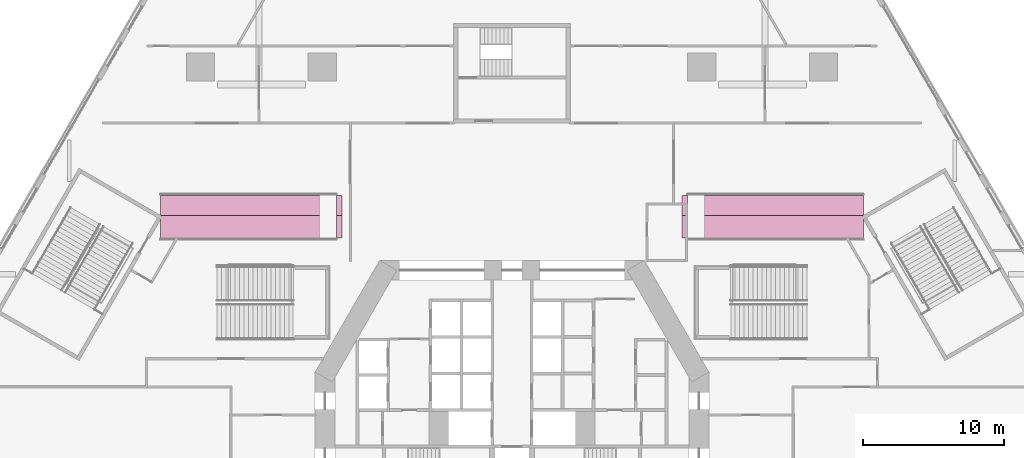
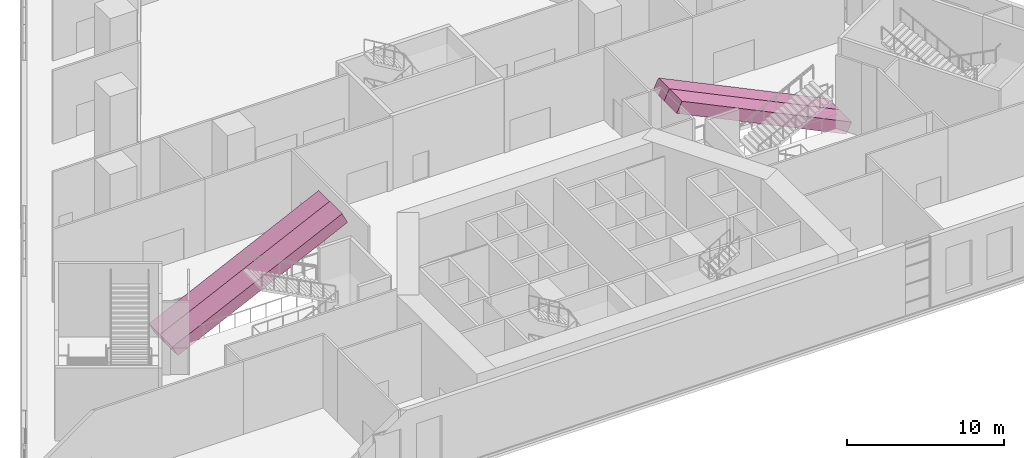
# One storey, part 27 of 27: 4 transport elements.
"""IFC4 building model written with IfcOpenShell, lengths in metres."""

import ifcopenshell
import ifcopenshell.guid

model = None  # the IFC model being written
_history = None  # IfcOwnerHistory: only IFC2X3 demands one
_inside = {}  # id of a spatial element -> (the spatial element, [elements in it])
_under = {}  # id of a project, library or spatial element -> (it, [spatial elements below it])
_declared = {}  # id of a project -> (the project, [libraries it declares])
_typed = {}  # id of a type object -> (the type object, [elements of that type])
_made_of = {}  # id of a material, layer set ... -> (it, [elements and type objects made of it])


def new_model(schema):
    """Start an empty IFC model of exactly this schema.

    Asked for "IFC4X3", IfcOpenShell would pick the latest addendum, in which some entities
    have other attributes; the version numbers below select the first issue.
    IFC2X3 requires an IfcOwnerHistory on every rooted entity: one is made here for all.
    """
    global model, _history
    if schema == "IFC4X3":
        model = ifcopenshell.file(schema_version=(4, 3, 0, 0))
    else:
        model = ifcopenshell.file(schema=schema)
    _inside.clear()
    _under.clear()
    _declared.clear()
    _typed.clear()
    _made_of.clear()
    _history = None
    if model.schema == "IFC2X3":
        org = make("IfcOrganization", Name="unknown")
        user = make(
            "IfcPersonAndOrganization",
            ThePerson=make("IfcPerson", FamilyName="unknown"),
            TheOrganization=org,
        )
        app = make(
            "IfcApplication",
            ApplicationDeveloper=org,
            Version="unknown",
            ApplicationFullName="unknown",
            ApplicationIdentifier="unknown",
        )
        _history = make(
            "IfcOwnerHistory",
            OwningUser=user,
            OwningApplication=app,
            ChangeAction="ADDED",
            CreationDate=0,
        )
    return model


def make(cls, **values):
    """One entity of the class cls with the attributes given. An attribute that is None is left unset."""
    return model.create_entity(
        cls, **{name: value for name, value in values.items() if value is not None}
    )


def rooted(cls, **values):
    """An entity with a GlobalId (a new one), such as an element, a storey or a relation."""
    return make(cls, GlobalId=ifcopenshell.guid.new(), OwnerHistory=_history, **values)


def si_unit(unit_type, name, prefix=None):
    """IfcSIUnit, for example si_unit("LENGTHUNIT", "METRE", prefix="MILLI")."""
    return make("IfcSIUnit", UnitType=unit_type, Prefix=prefix, Name=name)


def assignment(units):
    """IfcUnitAssignment: the units of a project."""
    return None if units is None else make("IfcUnitAssignment", Units=units)


def point(xyz):
    """IfcCartesianPoint."""
    return None if xyz is None else make("IfcCartesianPoint", Coordinates=xyz)


def direction(xyz):
    """IfcDirection."""
    return None if xyz is None else make("IfcDirection", DirectionRatios=xyz)


def frame(location, z_axis=None, x_axis=None):
    """IfcAxis2Placement3D, a coordinate frame: its origin and axes. An axis left out is left unset."""
    return make(
        "IfcAxis2Placement3D",
        Location=point(location),
        Axis=direction(z_axis),
        RefDirection=direction(x_axis),
    )


def origin():
    """The frame at (0, 0, 0) with its axes left unset."""
    return frame((0.0, 0.0, 0.0))


def place(relative_to, where):
    """IfcLocalPlacement: puts the frame where relative to a parent placement (None: the world)."""
    return make(
        "IfcLocalPlacement", PlacementRelTo=relative_to, RelativePlacement=where
    )


def context(
    kind, dimensions, precision=None, world=None, true_north=None, identifier=None
):
    """IfcGeometricRepresentationContext, for example the 3D "Model" context."""
    return make(
        "IfcGeometricRepresentationContext",
        ContextIdentifier=identifier,
        ContextType=kind,
        CoordinateSpaceDimension=dimensions,
        Precision=precision,
        WorldCoordinateSystem=world,
        TrueNorth=true_north,
    )


def subcontext(parent, identifier, kind, view, scale=None):
    """IfcGeometricRepresentationSubContext, for example "Body" below "Model"."""
    return make(
        "IfcGeometricRepresentationSubContext",
        ContextIdentifier=identifier,
        ContextType=kind,
        ParentContext=parent,
        TargetScale=scale,
        TargetView=view,
    )


def project(units=None, contexts=None):
    """IfcProject with its units and contexts."""
    return rooted(
        "IfcProject",
        Name="project",
        RepresentationContexts=contexts,
        UnitsInContext=assignment(units),
    )


def spatial(cls, under=None, at=None, **own):
    """A site, building, storey or space (cls), placed at a placement, below another one or the project."""
    s = rooted(cls, ObjectPlacement=at, **own)
    if under is not None:
        _under.setdefault(under.id(), (under, []))[1].append(s)
    return s


def polyline(points):
    """IfcPolyline through the points."""
    return make("IfcPolyline", Points=[point(p) for p in points])


def outline(outer, holes=None, kind="AREA"):
    """IfcArbitraryClosedProfileDef: a profile drawn as a closed curve; with holes, ...WithVoids."""
    if holes is None:
        return make("IfcArbitraryClosedProfileDef", ProfileType=kind, OuterCurve=outer)
    return make(
        "IfcArbitraryProfileDefWithVoids",
        ProfileType=kind,
        OuterCurve=outer,
        InnerCurves=holes,
    )


def extrude(swept, where, along, depth):
    """IfcExtrudedAreaSolid: the profile swept, set in the frame where, extruded along a direction by depth."""
    return make(
        "IfcExtrudedAreaSolid",
        SweptArea=swept,
        Position=where,
        ExtrudedDirection=direction(along),
        Depth=depth,
    )


def shape(context_of_items, identifier, shape_type, items):
    """IfcShapeRepresentation: the items that make up one representation, for example the "Body"."""
    return make(
        "IfcShapeRepresentation",
        ContextOfItems=context_of_items,
        RepresentationIdentifier=identifier,
        RepresentationType=shape_type,
        Items=items,
    )


def material(Name=None, Category=None):
    """IfcMaterial."""
    return make("IfcMaterial", Name=Name, Category=Category)


def made_of(thing, what):
    """Note that an element or type object is made of a material, layer set ...; save() writes the relation."""
    if what is not None:
        _made_of.setdefault(what.id(), (what, []))[1].append(thing)
    return thing


def type_object(cls, material=None, **own):
    """A type object (cls), such as IfcWallType, which elements share."""
    return made_of(rooted(cls, **own), material)


def element(
    cls,
    number,
    at=None,
    inside=None,
    cuts=None,
    type_object=None,
    material=None,
    context=None,
    identifier="Body",
    shape_type=None,
    held_by="IfcProductDefinitionShape",
    body=None,
    shapes=None,
    **own,
):
    """One element of the class cls, such as IfcWall. Its Tag is "e" and its number.

    at: its placement. inside: the storey or other place that contains it. cuts: it is an
    opening in that element (IfcRelVoidsElement). A single representation is given by context,
    identifier, shape_type and body (its items); several are given by shapes. held_by: the class
    of the entity that holds the representations. save() writes the other relations.
    """
    e = rooted(cls, Tag="e%d" % number, ObjectPlacement=at, **own)
    if body is not None:
        shapes = [shape(context, identifier, shape_type, body)]
    if shapes is not None:
        e.Representation = make(held_by, Representations=shapes)
    if inside is not None:
        _inside.setdefault(inside.id(), (inside, []))[1].append(e)
    if cuts is not None:
        rooted(
            "IfcRelVoidsElement", RelatingBuildingElement=cuts, RelatedOpeningElement=e
        )
    if type_object is not None:
        _typed.setdefault(type_object.id(), (type_object, []))[1].append(e)
    return made_of(e, material)


def aggregate(whole, parts):
    """IfcRelAggregates: a whole, such as a stair, and the parts it consists of."""
    return rooted("IfcRelAggregates", RelatingObject=whole, RelatedObjects=parts)


def save(model, path):
    """Write the relations noted so far, then the file.

    IfcRelAggregates (storeys below a building ...), IfcRelContainedInSpatialStructure (elements
    in a storey), IfcRelDefinesByType, IfcRelAssociatesMaterial and IfcRelDeclares: one each for
    every whole, place, type object, material and project.
    """
    for whole, parts in _under.values():
        aggregate(whole, parts)
    for where, things in _inside.values():
        rooted(
            "IfcRelContainedInSpatialStructure",
            RelatedElements=things,
            RelatingStructure=where,
        )
    for kind, things in _typed.values():
        rooted("IfcRelDefinesByType", RelatedObjects=things, RelatingType=kind)
    for what, things in _made_of.values():
        rooted("IfcRelAssociatesMaterial", RelatedObjects=things, RelatingMaterial=what)
    for by, libraries in _declared.values():
        rooted("IfcRelDeclares", RelatingContext=by, RelatedDefinitions=libraries)
    model.write(path)


model = new_model("IFC4")

# Units and contexts
model_context = context("Model", 3, precision=1e-05, world=origin(), true_north=direction((0.0, 1.0)))
body_context = subcontext(model_context, "Body", "Model", "MODEL_VIEW")
ifc_project = project(units=[si_unit("LENGTHUNIT", "METRE"), si_unit("AREAUNIT", "SQUARE_METRE"), si_unit("VOLUMEUNIT", "CUBIC_METRE"), si_unit("PLANEANGLEUNIT", "RADIAN"), si_unit("MASSUNIT", "GRAM", prefix="KILO")], contexts=[model_context])

# Site, building, storey
site_placement = place(None, origin())
site = spatial("IfcSite", under=ifc_project, at=site_placement, CompositionType="ELEMENT")
building_placement = place(site_placement, origin())
building = spatial("IfcBuilding", under=site, at=building_placement, Name="Fogline Exchange Tower", CompositionType="ELEMENT")
storey_placement = place(building_placement, frame((0.0, 0.0, 8.0)))
storey = spatial("IfcBuildingStorey", under=building, at=storey_placement, Name="L01", CompositionType="ELEMENT", Elevation=8.0)

# Transport elements
ifc_material = material(Name="Steel Q235B", Category="steel")
transport_element_type = type_object("IfcTransportElementType", Name="PE1", PredefinedType="ESCALATOR", material=ifc_material)
transport_element_1_placement = place(storey_placement, frame((-25.0, 20.60009765625, 0.0), z_axis=(-0.432731067585, 0.0, 0.901523057468), x_axis=(0.0, 1.0, 0.0)))
element("IfcTransportElement", 1, at=transport_element_1_placement, inside=storey, type_object=transport_element_type, Name="Escalator up", PredefinedType="ESCALATOR", context=body_context, shape_type="SweptSolid", body=[
    extrude(outline(polyline([(0.0, 0.0), (1.599853515625, 0.0), (1.599853515625, -13.865424623862047), (0.0, -13.865424623862047), (0.0, 0.0)])), origin(), (0.0, 0.0, -1.0), 0.89990234375),
])
transport_element_2_placement = place(storey_placement, frame((-25.0, 22.199951171875, 0.0), z_axis=(-0.432731067585, 0.0, 0.901523057468), x_axis=(0.0, 1.0, 0.0)))
element("IfcTransportElement", 2, at=transport_element_2_placement, inside=storey, type_object=transport_element_type, Name="Escalator down", PredefinedType="ESCALATOR", context=body_context, shape_type="SweptSolid", body=[
    extrude(outline(polyline([(0.0, 0.0), (1.400146484375, 0.0), (1.400146484375, -13.865424623862047), (0.0, -13.865424623862047), (0.0, 0.0)])), origin(), (0.0, 0.0, -1.0), 0.89990234375),
])
transport_element_3_placement = place(storey_placement, frame((25.0, 20.60009765625, 0.0), z_axis=(0.432731067585, 0.0, 0.901523057468), x_axis=(0.0, 1.0, 0.0)))
element("IfcTransportElement", 3, at=transport_element_3_placement, inside=storey, type_object=transport_element_type, Name="Escalator up", PredefinedType="ESCALATOR", context=body_context, shape_type="SweptSolid", body=[
    extrude(outline(polyline([(0.0, 0.0), (1.599853515625, 0.0), (1.599853515625, 13.865424623862047), (0.0, 13.865424623862047), (0.0, 0.0)])), origin(), (0.0, 0.0, -1.0), 0.89990234375),
])
transport_element_4_placement = place(storey_placement, frame((25.0, 22.199951171875, 0.0), z_axis=(0.432731067585, 0.0, 0.901523057468), x_axis=(0.0, 1.0, 0.0)))
element("IfcTransportElement", 4, at=transport_element_4_placement, inside=storey, type_object=transport_element_type, Name="Escalator down", PredefinedType="ESCALATOR", context=body_context, shape_type="SweptSolid", body=[
    extrude(outline(polyline([(0.0, 0.0), (1.400146484375, 0.0), (1.400146484375, 13.865424623862047), (0.0, 13.865424623862047), (0.0, 0.0)])), origin(), (0.0, 0.0, -1.0), 0.89990234375),
])

save(model, "model.ifc")
